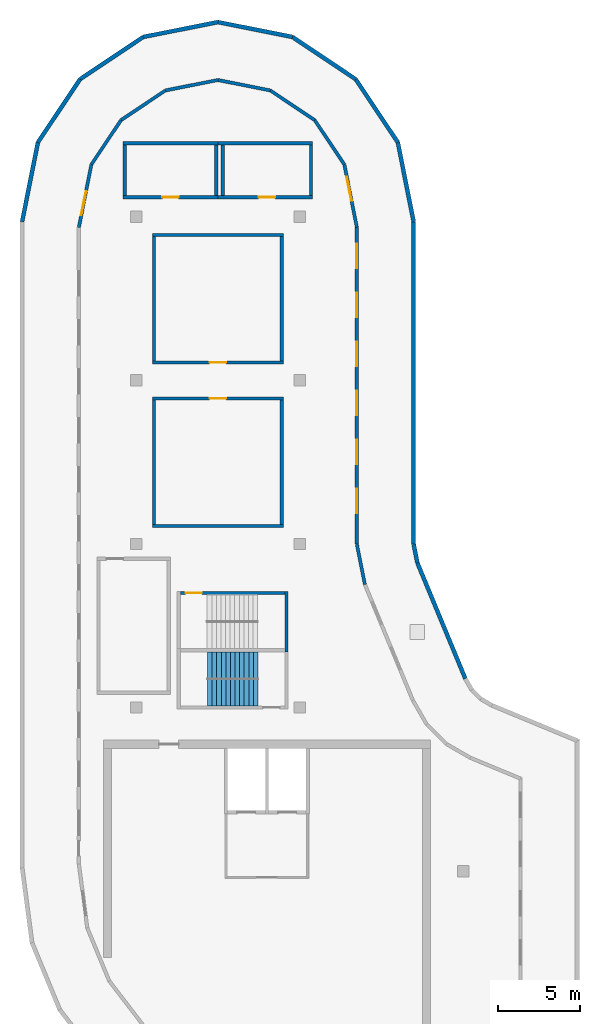
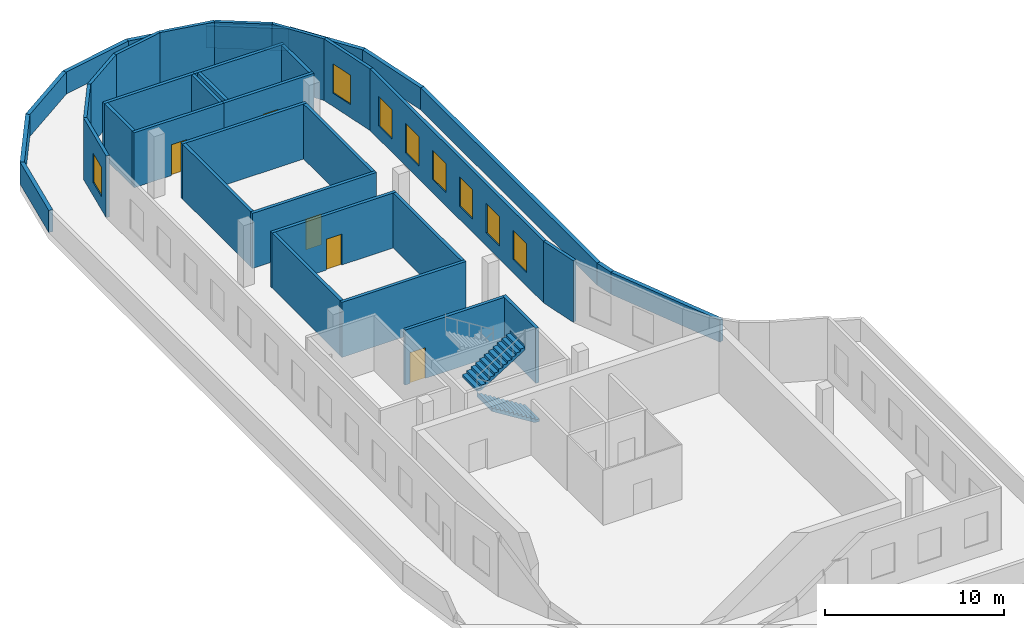
# One storey, part 3 of 5: 39 walls, 8 windows, 5 doors, 2 stair flights, 13 openings, 1 element without a shape of its own.
"""IFC4 building model written with IfcOpenShell, lengths in metres."""

from ifc_helpers import new_model, si_unit, direction, frame, frame_2d, origin, place, context, subcontext, project, spatial, polyline, rectangle, outline, extrude, material, layer, layer_set, type_object, element, fill, aggregate, save


model = new_model("IFC4")

# Units and contexts
model_context = context("Model", 3, precision=1e-05, world=origin(), true_north=direction((0.0, 1.0)))
body_context = subcontext(model_context, "Body", "Model", "MODEL_VIEW")
ifc_project = project(units=[si_unit("LENGTHUNIT", "METRE"), si_unit("AREAUNIT", "SQUARE_METRE"), si_unit("VOLUMEUNIT", "CUBIC_METRE"), si_unit("PLANEANGLEUNIT", "RADIAN"), si_unit("MASSUNIT", "GRAM", prefix="KILO")], contexts=[model_context])

# Site, building, storey
site_placement = place(None, origin())
site = spatial("IfcSite", under=ifc_project, at=site_placement, CompositionType="ELEMENT")
building_placement = place(site_placement, origin())
building = spatial("IfcBuilding", under=site, at=building_placement, Name="Qaws Garden Tower", CompositionType="ELEMENT")
storey_placement = place(building_placement, frame((0.0, 0.0, 369.60009765625)))
storey = spatial("IfcBuildingStorey", under=building, at=storey_placement, Name="C2", CompositionType="ELEMENT", Elevation=369.60009765625)

# Wall, opening, door
ifc_material_1 = material(Name="Concrete C60", Category="concrete")
ifc_layer_1 = layer(ifc_material_1, 0.199951171875)
ifc_layer_set_1 = layer_set([ifc_layer_1], Name="Concrete C60")
wall_type_1 = type_object("IfcWallType", Name="Core shaft wall 200 C60", PredefinedType="SHEAR", material=ifc_layer_set_1)
wall_1_placement = place(storey_placement, frame((12.699951171875, 37.0, 0.0), z_axis=(0.0, 0.0, 1.0), x_axis=(1.0, 0.0, 0.0)))
wall_1 = element("IfcWall", 1, at=wall_1_placement, inside=storey, type_object=wall_type_1, Name="Crown stair 2 wall", PredefinedType="SHEAR", context=body_context, shape_type="SweptSolid", body=[
    extrude(rectangle(XDim=6.400146484375, YDim=0.199951171875, at=frame_2d((3.2001953125, 0.0))), origin(), (0.0, 0.0, 1.0), 3.75),
])
opening_1_placement = place(wall_1_placement, frame((0.324951171875, 0.0, 0.0)))
opening_1 = element("IfcOpeningElement", 2, at=opening_1_placement, cuts=wall_1, Name="Opening C1019", PredefinedType="OPENING", context=body_context, shape_type="SweptSolid", body=[
    extrude(rectangle(XDim=1.0, YDim=2.10009765625, at=frame_2d((0.5, 1.050048828125))), frame((0.0, 0.10986328125, 0.0), z_axis=(0.0, -1.0, 0.0), x_axis=(1.0, 0.0, 0.0)), (0.0, 0.0, 1.0), 0.219970703125),
])
ifc_material_2 = material(Name="Steel S235", Category="steel")
door_type_1 = type_object("IfcDoorType", Name="Stair door 1000x2100", OperationType="SINGLE_SWING_RIGHT", PredefinedType="DOOR", material=ifc_material_2)
door_1_placement = place(opening_1_placement, frame((1.0, 0.0, 0.0), z_axis=(0.0, 0.0, 1.0), x_axis=(-1.0, 0.0, 0.0)))
door_1 = element("IfcDoor", 3, at=door_1_placement, inside=storey, type_object=door_type_1, Name="Crown stair 2 door", OperationType="SINGLE_SWING_RIGHT", OverallHeight=2.10009765625, OverallWidth=1.0, PredefinedType="DOOR", context=body_context, shape_type="SweptSolid", body=[
    extrude(rectangle(XDim=1.0, YDim=2.10009765625, at=frame_2d((0.5, 1.050048828125))), frame((0.0, 0.02490234375, 0.0), z_axis=(0.0, -1.0, 0.0), x_axis=(1.0, 0.0, 0.0)), (0.0, 0.0, 1.0), 0.050048828125),
])
fill(opening_1, door_1)

# Walls
wall_2_placement = place(storey_placement, frame((19.199951171875, 33.39990234375, 0.0), z_axis=(0.0, 0.0, 1.0), x_axis=(0.0, 1.0, 0.0)))
element("IfcWall", 4, at=wall_2_placement, inside=storey, type_object=wall_type_1, Name="Crown stair 2 wall", PredefinedType="SHEAR", context=body_context, shape_type="SweptSolid", body=[
    extrude(rectangle(XDim=3.7001953125, YDim=0.199951171875, at=frame_2d((1.85009765625, 0.0))), origin(), (0.0, 0.0, 1.0), 3.75),
])
ifc_material_3 = material(Name="Brick masonry", Category="masonry")
ifc_layer_2 = layer(ifc_material_3, 0.25)
ifc_layer_set_2 = layer_set([ifc_layer_2], Name="Brick masonry")
wall_type_2 = type_object("IfcWallType", Name="Parapet 250", PredefinedType="PARAPET", material=ifc_layer_set_2)
wall_3_placement = place(storey_placement, frame((3.02490234375, 59.7021484375, 0.0), z_axis=(0.0, 0.0, 1.0), x_axis=(0.195092299863, 0.980784886983, 0.0)))
element("IfcWall", 5, at=wall_3_placement, inside=storey, type_object=wall_type_2, Name="Maintenance terrace parapet C2", PredefinedType="PARAPET", context=body_context, shape_type="SweptSolid", body=[
    extrude(rectangle(XDim=4.953125, YDim=0.25, at=frame_2d((2.4765625, 0.0))), origin(), (0.0, 0.0, 1.0), 1.5),
])
for number, where, z_axis, x_axis, name in (
    (6, (3.9912109375, 64.56005859375, 0.0), (0.0, 0.0, 1.0), (0.555572391155, 0.831468170279, 0.0), "Maintenance terrace parapet C2"),
    (7, (6.57421875, 68.42578125, 0.0), (0.0, 0.0, 1.0), (0.831468170279, 0.555572391155, 0.0), "Maintenance terrace parapet C2"),
):
    element("IfcWall", number, at=place(storey_placement, frame(where, z_axis=z_axis, x_axis=x_axis)), inside=storey, type_object=wall_type_2, Name=name, PredefinedType="PARAPET", context=body_context, shape_type="SweptSolid", body=[
        extrude(rectangle(XDim=4.649169921875, YDim=0.25, at=frame_2d((2.32470703125, 0.0))), origin(), (0.0, 0.0, 1.0), 1.5),
    ])
for number, where, z_axis, x_axis, name in (
    (8, (10.43994140625, 71.0087890625, 0.0), (0.0, 0.0, 1.0), (0.9807881458, 0.195075916139, 0.0), "Maintenance terrace parapet C2"),
    (9, (15.0, 71.915771484375, 0.0), (0.0, 0.0, 1.0), (0.9807881458, -0.195075916139, 0.0), "Maintenance terrace parapet C2"),
):
    element("IfcWall", number, at=place(storey_placement, frame(where, z_axis=z_axis, x_axis=x_axis)), inside=storey, type_object=wall_type_2, Name=name, PredefinedType="PARAPET", context=body_context, shape_type="SweptSolid", body=[
        extrude(rectangle(XDim=4.6494140625, YDim=0.25, at=frame_2d((2.32470703125, 0.0))), origin(), (0.0, 0.0, 1.0), 1.5),
    ])
for number, where, z_axis, x_axis, name in (
    (10, (19.56005859375, 71.0087890625, 0.0), (0.0, 0.0, 1.0), (0.831468170279, -0.555572391155, 0.0), "Maintenance terrace parapet C2"),
    (11, (23.42578125, 68.42578125, 0.0), (0.0, 0.0, 1.0), (0.555572391155, -0.831468170279, 0.0), "Maintenance terrace parapet C2"),
):
    element("IfcWall", number, at=place(storey_placement, frame(where, z_axis=z_axis, x_axis=x_axis)), inside=storey, type_object=wall_type_2, Name=name, PredefinedType="PARAPET", context=body_context, shape_type="SweptSolid", body=[
        extrude(rectangle(XDim=4.649169921875, YDim=0.25, at=frame_2d((2.32470703125, 0.0))), origin(), (0.0, 0.0, 1.0), 1.5),
    ])
wall_4_placement = place(storey_placement, frame((26.0087890625, 64.56005859375, 0.0), z_axis=(0.0, 0.0, 1.0), x_axis=(0.195092299863, -0.980784886983, 0.0)))
element("IfcWall", 12, at=wall_4_placement, inside=storey, type_object=wall_type_2, Name="Maintenance terrace parapet C2", PredefinedType="PARAPET", context=body_context, shape_type="SweptSolid", body=[
    extrude(rectangle(XDim=4.953125, YDim=0.25, at=frame_2d((2.4765625, 0.0))), origin(), (0.0, 0.0, 1.0), 1.5),
])
wall_5_placement = place(storey_placement, frame((26.97509765625, 59.7021484375, 0.0), z_axis=(0.0, 0.0, 1.0), x_axis=(0.0, -1.0, 0.0)))
element("IfcWall", 13, at=wall_5_placement, inside=storey, type_object=wall_type_2, Name="Maintenance terrace parapet C2", PredefinedType="PARAPET", context=body_context, shape_type="SweptSolid", body=[
    extrude(rectangle(XDim=19.71435546875, YDim=0.25, at=frame_2d((9.857177734375, 0.0))), origin(), (0.0, 0.0, 1.0), 1.5),
])
wall_6_placement = place(storey_placement, frame((26.97509765625, 39.98779296875, 0.0), z_axis=(0.0, 0.0, 1.0), x_axis=(0.19510089469, -0.980783177308, 0.0)))
element("IfcWall", 14, at=wall_6_placement, inside=storey, type_object=wall_type_2, Name="Maintenance terrace parapet C2", PredefinedType="PARAPET", context=body_context, shape_type="SweptSolid", body=[
    extrude(rectangle(XDim=1.15625, YDim=0.25, at=frame_2d((0.578125, 0.0))), origin(), (0.0, 0.0, 1.0), 1.5),
])
wall_7_placement = place(storey_placement, frame((27.20068359375, 38.853759765625, 0.0), z_axis=(0.0, 0.0, 1.0), x_axis=(0.382651496765, -0.923892760023, 0.0)))
element("IfcWall", 15, at=wall_7_placement, inside=storey, type_object=wall_type_2, Name="Maintenance terrace parapet C2", PredefinedType="PARAPET", context=body_context, shape_type="SweptSolid", body=[
    extrude(rectangle(XDim=7.674072265625, YDim=0.25, at=frame_2d((3.8369140625, 0.0))), origin(), (0.0, 0.0, 1.0), 1.5),
])
ifc_material_4 = material(Name="Blockwork", Category="masonry")
ifc_layer_3 = layer(ifc_material_4, 0.199951171875)
ifc_layer_set_3 = layer_set([ifc_layer_3], Name="Blockwork")
wall_type_3 = type_object("IfcWallType", Name="Plant room wall 200", PredefinedType="PARTITIONING", material=ifc_layer_set_3)
wall_8_placement = place(storey_placement, frame((11.0, 41.10009765625, 0.0), z_axis=(0.0, 0.0, 1.0), x_axis=(1.0, 0.0, 0.0)))
element("IfcWall", 16, at=wall_8_placement, inside=storey, type_object=wall_type_3, Name="Water tank and pump room wall", PredefinedType="PARTITIONING", context=body_context, shape_type="SweptSolid", body=[
    extrude(rectangle(XDim=8.0, YDim=0.199951171875, at=frame_2d((4.0, 0.0))), origin(), (0.0, 0.0, 1.0), 3.75),
])

# Wall, opening, door
wall_9_placement = place(storey_placement, frame((11.0, 48.89990234375, 0.0), z_axis=(0.0, 0.0, 1.0), x_axis=(1.0, 0.0, 0.0)))
wall_9 = element("IfcWall", 17, at=wall_9_placement, inside=storey, type_object=wall_type_3, Name="Water tank and pump room wall", PredefinedType="PARTITIONING", context=body_context, shape_type="SweptSolid", body=[
    extrude(rectangle(XDim=8.0, YDim=0.199951171875, at=frame_2d((4.0, 0.0))), origin(), (0.0, 0.0, 1.0), 3.75),
])
opening_2_placement = place(wall_9_placement, frame((3.5, 0.0, 0.0)))
opening_2 = element("IfcOpeningElement", 18, at=opening_2_placement, cuts=wall_9, Name="Opening PD12-01", PredefinedType="OPENING", context=body_context, shape_type="SweptSolid", body=[
    extrude(rectangle(XDim=1.0, YDim=2.10009765625, at=frame_2d((0.5, 1.050048828125))), frame((0.0, 0.10986328125, 0.0), z_axis=(0.0, -1.0, 0.0), x_axis=(1.0, 0.0, 0.0)), (0.0, 0.0, 1.0), 0.219970703125),
])
ifc_material_5 = material(Name="Steel S235 framed door leaf", Category="steel")
door_type_2 = type_object("IfcDoorType", Name="Door D12 fire single 1000", OperationType="SINGLE_SWING_LEFT", PredefinedType="DOOR", material=ifc_material_5)
door_2_placement = place(opening_2_placement, origin())
door_2 = element("IfcDoor", 19, at=door_2_placement, inside=storey, type_object=door_type_2, Name="Water tank and pump room door", OperationType="SINGLE_SWING_RIGHT", OverallHeight=2.10009765625, OverallWidth=1.0, PredefinedType="DOOR", context=body_context, shape_type="SweptSolid", body=[
    extrude(rectangle(XDim=1.0, YDim=2.10009765625, at=frame_2d((0.5, 1.050048828125))), frame((0.0, 0.02490234375, 0.0), z_axis=(0.0, -1.0, 0.0), x_axis=(1.0, 0.0, 0.0)), (0.0, 0.0, 1.0), 0.050048828125),
])
fill(opening_2, door_2)

# Walls
for number, where, z_axis, x_axis, name in (
    (20, (11.10009765625, 41.199951171875, 0.0), (0.0, 0.0, 1.0), (0.0, 1.0, 0.0), "Water tank and pump room wall"),
    (21, (18.89990234375, 41.199951171875, 0.0), (0.0, 0.0, 1.0), (0.0, 1.0, 0.0), "Water tank and pump room wall"),
):
    element("IfcWall", number, at=place(storey_placement, frame(where, z_axis=z_axis, x_axis=x_axis)), inside=storey, type_object=wall_type_3, Name=name, PredefinedType="PARTITIONING", context=body_context, shape_type="SweptSolid", body=[
        extrude(rectangle(XDim=7.60009765625, YDim=0.199951171875, at=frame_2d((3.800048828125, 0.0))), origin(), (0.0, 0.0, 1.0), 3.75),
    ])

# Wall, opening, door
wall_10_placement = place(storey_placement, frame((11.0, 51.10009765625, 0.0), z_axis=(0.0, 0.0, 1.0), x_axis=(1.0, 0.0, 0.0)))
wall_10 = element("IfcWall", 22, at=wall_10_placement, inside=storey, type_object=wall_type_3, Name="Roof plant room wall", PredefinedType="PARTITIONING", context=body_context, shape_type="SweptSolid", body=[
    extrude(rectangle(XDim=8.0, YDim=0.199951171875, at=frame_2d((4.0, 0.0))), origin(), (0.0, 0.0, 1.0), 3.75),
])
opening_3_placement = place(wall_10_placement, frame((3.5, 0.0, 0.0)))
opening_3 = element("IfcOpeningElement", 23, at=opening_3_placement, cuts=wall_10, Name="Opening PD12-02", PredefinedType="OPENING", context=body_context, shape_type="SweptSolid", body=[
    extrude(rectangle(XDim=1.0, YDim=2.10009765625, at=frame_2d((0.5, 1.050048828125))), frame((0.0, 0.10986328125, 0.0), z_axis=(0.0, -1.0, 0.0), x_axis=(1.0, 0.0, 0.0)), (0.0, 0.0, 1.0), 0.219970703125),
])
door_3_placement = place(opening_3_placement, origin())
door_3 = element("IfcDoor", 24, at=door_3_placement, inside=storey, type_object=door_type_2, Name="Roof plant room door", OperationType="SINGLE_SWING_RIGHT", OverallHeight=2.10009765625, OverallWidth=1.0, PredefinedType="DOOR", context=body_context, shape_type="SweptSolid", body=[
    extrude(rectangle(XDim=1.0, YDim=2.10009765625, at=frame_2d((0.5, 1.050048828125))), frame((0.0, 0.02490234375, 0.0), z_axis=(0.0, -1.0, 0.0), x_axis=(1.0, 0.0, 0.0)), (0.0, 0.0, 1.0), 0.050048828125),
])
fill(opening_3, door_3)

# Walls
wall_11_placement = place(storey_placement, frame((11.0, 58.89990234375, 0.0), z_axis=(0.0, 0.0, 1.0), x_axis=(1.0, 0.0, 0.0)))
element("IfcWall", 25, at=wall_11_placement, inside=storey, type_object=wall_type_3, Name="Roof plant room wall", PredefinedType="PARTITIONING", context=body_context, shape_type="SweptSolid", body=[
    extrude(rectangle(XDim=8.0, YDim=0.199951171875, at=frame_2d((4.0, 0.0))), origin(), (0.0, 0.0, 1.0), 3.75),
])
for number, where, z_axis, x_axis, name in (
    (26, (11.10009765625, 51.199951171875, 0.0), (0.0, 0.0, 1.0), (0.0, 1.0, 0.0), "Roof plant room wall"),
    (27, (18.89990234375, 51.199951171875, 0.0), (0.0, 0.0, 1.0), (0.0, 1.0, 0.0), "Roof plant room wall"),
):
    element("IfcWall", number, at=place(storey_placement, frame(where, z_axis=z_axis, x_axis=x_axis)), inside=storey, type_object=wall_type_3, Name=name, PredefinedType="PARTITIONING", context=body_context, shape_type="SweptSolid", body=[
        extrude(rectangle(XDim=7.60009765625, YDim=0.199951171875, at=frame_2d((3.800048828125, 0.0))), origin(), (0.0, 0.0, 1.0), 3.75),
    ])

# Wall, opening, door
wall_12_placement = place(storey_placement, frame((9.199951171875, 61.199951171875, 0.0), z_axis=(0.0, 0.0, 1.0), x_axis=(1.0, 0.0, 0.0)))
wall_12 = element("IfcWall", 28, at=wall_12_placement, inside=storey, type_object=wall_type_3, Name="Chiller plant room wall", PredefinedType="PARTITIONING", context=body_context, shape_type="SweptSolid", body=[
    extrude(rectangle(XDim=5.800048828125, YDim=0.199951171875, at=frame_2d((2.89990234375, 0.0))), origin(), (0.0, 0.0, 1.0), 3.75),
])
opening_4_placement = place(wall_12_placement, frame((2.39990234375, 0.0, 0.0)))
opening_4 = element("IfcOpeningElement", 29, at=opening_4_placement, cuts=wall_12, Name="Opening PD12-03", PredefinedType="OPENING", context=body_context, shape_type="SweptSolid", body=[
    extrude(rectangle(XDim=1.0, YDim=2.10009765625, at=frame_2d((0.5, 1.050048828125))), frame((0.0, 0.10986328125, 0.0), z_axis=(0.0, -1.0, 0.0), x_axis=(1.0, 0.0, 0.0)), (0.0, 0.0, 1.0), 0.219970703125),
])
door_4_placement = place(opening_4_placement, origin())
door_4 = element("IfcDoor", 30, at=door_4_placement, inside=storey, type_object=door_type_2, Name="Chiller plant room door", OperationType="SINGLE_SWING_RIGHT", OverallHeight=2.10009765625, OverallWidth=1.0, PredefinedType="DOOR", context=body_context, shape_type="SweptSolid", body=[
    extrude(rectangle(XDim=1.0, YDim=2.10009765625, at=frame_2d((0.5, 1.050048828125))), frame((0.0, 0.02490234375, 0.0), z_axis=(0.0, -1.0, 0.0), x_axis=(1.0, 0.0, 0.0)), (0.0, 0.0, 1.0), 0.050048828125),
])
fill(opening_4, door_4)

# Walls
wall_13_placement = place(storey_placement, frame((9.199951171875, 64.5, 0.0), z_axis=(0.0, 0.0, 1.0), x_axis=(1.0, 0.0, 0.0)))
element("IfcWall", 31, at=wall_13_placement, inside=storey, type_object=wall_type_3, Name="Chiller plant room wall", PredefinedType="PARTITIONING", context=body_context, shape_type="SweptSolid", body=[
    extrude(rectangle(XDim=5.800048828125, YDim=0.199951171875, at=frame_2d((2.89990234375, 0.0))), origin(), (0.0, 0.0, 1.0), 3.75),
])
for number, where, z_axis, x_axis, name in (
    (32, (9.300048828125, 61.300048828125, 0.0), (0.0, 0.0, 1.0), (0.0, 1.0, 0.0), "Chiller plant room wall"),
    (33, (14.89990234375, 61.300048828125, 0.0), (0.0, 0.0, 1.0), (0.0, 1.0, 0.0), "Chiller plant room wall"),
):
    element("IfcWall", number, at=place(storey_placement, frame(where, z_axis=z_axis, x_axis=x_axis)), inside=storey, type_object=wall_type_3, Name=name, PredefinedType="PARTITIONING", context=body_context, shape_type="SweptSolid", body=[
        extrude(rectangle(XDim=3.099853515625, YDim=0.199951171875, at=frame_2d((1.5498046875, 0.0))), origin(), (0.0, 0.0, 1.0), 3.75),
    ])

# Wall, opening, door
wall_14_placement = place(storey_placement, frame((15.0, 61.199951171875, 0.0), z_axis=(0.0, 0.0, 1.0), x_axis=(1.0, 0.0, 0.0)))
wall_14 = element("IfcWall", 34, at=wall_14_placement, inside=storey, type_object=wall_type_3, Name="Air handling plant room wall", PredefinedType="PARTITIONING", context=body_context, shape_type="SweptSolid", body=[
    extrude(rectangle(XDim=5.800048828125, YDim=0.199951171875, at=frame_2d((2.89990234375, 0.0))), origin(), (0.0, 0.0, 1.0), 3.75),
])
opening_5_placement = place(wall_14_placement, frame((2.5, 0.0, 0.0)))
opening_5 = element("IfcOpeningElement", 35, at=opening_5_placement, cuts=wall_14, Name="Opening PD12-04", PredefinedType="OPENING", context=body_context, shape_type="SweptSolid", body=[
    extrude(rectangle(XDim=1.0, YDim=2.10009765625, at=frame_2d((0.5, 1.050048828125))), frame((0.0, 0.10986328125, 0.0), z_axis=(0.0, -1.0, 0.0), x_axis=(1.0, 0.0, 0.0)), (0.0, 0.0, 1.0), 0.219970703125),
])
door_5_placement = place(opening_5_placement, origin())
door_5 = element("IfcDoor", 36, at=door_5_placement, inside=storey, type_object=door_type_2, Name="Air handling plant room door", OperationType="SINGLE_SWING_RIGHT", OverallHeight=2.10009765625, OverallWidth=1.0, PredefinedType="DOOR", context=body_context, shape_type="SweptSolid", body=[
    extrude(rectangle(XDim=1.0, YDim=2.10009765625, at=frame_2d((0.5, 1.050048828125))), frame((0.0, 0.02490234375, 0.0), z_axis=(0.0, -1.0, 0.0), x_axis=(1.0, 0.0, 0.0)), (0.0, 0.0, 1.0), 0.050048828125),
])
fill(opening_5, door_5)

# Walls
wall_15_placement = place(storey_placement, frame((15.0, 64.5, 0.0), z_axis=(0.0, 0.0, 1.0), x_axis=(1.0, 0.0, 0.0)))
element("IfcWall", 37, at=wall_15_placement, inside=storey, type_object=wall_type_3, Name="Air handling plant room wall", PredefinedType="PARTITIONING", context=body_context, shape_type="SweptSolid", body=[
    extrude(rectangle(XDim=5.800048828125, YDim=0.199951171875, at=frame_2d((2.89990234375, 0.0))), origin(), (0.0, 0.0, 1.0), 3.75),
])
for number, where, z_axis, x_axis, name in (
    (38, (15.300048828125, 61.300048828125, 0.0), (0.0, 0.0, 1.0), (0.0, 1.0, 0.0), "Air handling plant room wall"),
    (39, (20.699951171875, 61.300048828125, 0.0), (0.0, 0.0, 1.0), (0.0, 1.0, 0.0), "Air handling plant room wall"),
):
    element("IfcWall", number, at=place(storey_placement, frame(where, z_axis=z_axis, x_axis=x_axis)), inside=storey, type_object=wall_type_3, Name=name, PredefinedType="PARTITIONING", context=body_context, shape_type="SweptSolid", body=[
        extrude(rectangle(XDim=3.099853515625, YDim=0.199951171875, at=frame_2d((1.5498046875, 0.0))), origin(), (0.0, 0.0, 1.0), 3.75),
    ])

# Wall, opening, window
ifc_material_6 = material(Name="Brick masonry", Category="masonry")
ifc_layer_4 = layer(ifc_material_6, 0.199951171875)
ifc_layer_set_4 = layer_set([ifc_layer_4], Name="Brick masonry")
wall_type_4 = type_object("IfcWallType", Name="Plant screen louvre 200", PredefinedType="STANDARD", material=ifc_layer_set_4)
wall_16_placement = place(storey_placement, frame((6.5, 59.35986328125, 0.0), z_axis=(0.0, 0.0, 1.0), x_axis=(0.195085879942, 0.980786163976, 0.0)))
wall_16 = element("IfcWall", 40, at=wall_16_placement, inside=storey, type_object=wall_type_4, Name="Plant screen wall C2 8", PredefinedType="STANDARD", context=body_context, shape_type="SweptSolid", body=[
    extrude(rectangle(XDim=3.91943359375, YDim=0.199951171875, at=frame_2d((1.959716796875, 0.0))), origin(), (0.0, 0.0, 1.0), 4.199951171875),
])
opening_6_placement = place(wall_16_placement, frame((0.759765625, 0.0, 0.89990234375)))
opening_6 = element("IfcOpeningElement", 41, at=opening_6_placement, cuts=wall_16, Name="Opening PW-S4", PredefinedType="OPENING", context=body_context, shape_type="SweptSolid", body=[
    extrude(rectangle(XDim=1.5, YDim=2.0, at=frame_2d((0.75, 1.0))), frame((0.0, 0.10986328125, 0.0), z_axis=(0.0, -1.0, 0.0), x_axis=(1.0, 0.0, 0.0)), (0.0, 0.0, 1.0), 0.219970703125),
])
ifc_material_7 = material(Name="Aluminium louvre", Category="aluminium")
window_type = type_object("IfcWindowType", Name="Plant louvre 1500", PartitioningType="SINGLE_PANEL", PredefinedType="WINDOW", material=ifc_material_7)
window_1_placement = place(opening_6_placement, origin())
window_1 = element("IfcWindow", 42, at=window_1_placement, inside=storey, type_object=window_type, Name="Plant louvre", OverallHeight=2.0, OverallWidth=1.5, PartitioningType="SINGLE_PANEL", PredefinedType="WINDOW", context=body_context, shape_type="SweptSolid", body=[
    extrude(rectangle(XDim=1.5, YDim=2.0, at=frame_2d((0.75, 1.0))), frame((0.0, 0.030029296875, 0.0), z_axis=(0.0, -1.0, 0.0), x_axis=(1.0, 0.0, 0.0)), (0.0, 0.0, 1.0), 0.06005859375),
])
fill(opening_6, window_1)

# Walls
for number, where, z_axis, x_axis, name in (
    (43, (7.2646484375, 63.2041015625, 0.0), (0.0, 0.0, 1.0), (0.55556219765, 0.831474981309, 0.0), "Plant screen wall C2 9"),
    (44, (9.07958984375, 65.92041015625, 0.0), (0.0, 0.0, 1.0), (0.831474981309, 0.55556219765, 0.0), "Plant screen wall C2 10"),
    (45, (11.7958984375, 67.7353515625, 0.0), (0.0, 0.0, 1.0), (0.980778500655, 0.195124403018, 0.0), "Plant screen wall C2 11"),
    (46, (15.0, 68.372802734375, 0.0), (0.0, 0.0, 1.0), (0.980778500655, -0.195124403018, 0.0), "Plant screen wall C2 12"),
    (47, (18.2041015625, 67.7353515625, 0.0), (0.0, 0.0, 1.0), (0.831474981309, -0.55556219765, 0.0), "Plant screen wall C2 13"),
    (48, (20.92041015625, 65.92041015625, 0.0), (0.0, 0.0, 1.0), (0.55556219765, -0.831474981309, 0.0), "Plant screen wall C2 14"),
):
    element("IfcWall", number, at=place(storey_placement, frame(where, z_axis=z_axis, x_axis=x_axis)), inside=storey, type_object=wall_type_4, Name=name, PredefinedType="STANDARD", context=body_context, shape_type="SweptSolid", body=[
        extrude(rectangle(XDim=3.266845703125, YDim=0.199951171875, at=frame_2d((1.63330078125, 0.0))), origin(), (0.0, 0.0, 1.0), 4.199951171875),
    ])

# Wall, opening, window
wall_17_placement = place(storey_placement, frame((22.7353515625, 63.2041015625, 0.0), z_axis=(0.0, 0.0, 1.0), x_axis=(0.195085879942, -0.980786163976, 0.0)))
wall_17 = element("IfcWall", 49, at=wall_17_placement, inside=storey, type_object=wall_type_4, Name="Plant screen wall C2 15", PredefinedType="STANDARD", context=body_context, shape_type="SweptSolid", body=[
    extrude(rectangle(XDim=3.91943359375, YDim=0.199951171875, at=frame_2d((1.959716796875, 0.0))), origin(), (0.0, 0.0, 1.0), 4.199951171875),
])
opening_7_placement = place(wall_17_placement, frame((0.759765625, 0.0, 0.89990234375)))
opening_7 = element("IfcOpeningElement", 50, at=opening_7_placement, cuts=wall_17, Name="Opening PW-S4", PredefinedType="OPENING", context=body_context, shape_type="SweptSolid", body=[
    extrude(rectangle(XDim=1.5, YDim=2.0, at=frame_2d((0.75, 1.0))), frame((0.0, 0.10986328125, 0.0), z_axis=(0.0, -1.0, 0.0), x_axis=(1.0, 0.0, 0.0)), (0.0, 0.0, 1.0), 0.219970703125),
])
window_2_placement = place(opening_7_placement, origin())
window_2 = element("IfcWindow", 51, at=window_2_placement, inside=storey, type_object=window_type, Name="Plant louvre", OverallHeight=2.0, OverallWidth=1.5, PartitioningType="SINGLE_PANEL", PredefinedType="WINDOW", context=body_context, shape_type="SweptSolid", body=[
    extrude(rectangle(XDim=1.5, YDim=2.0, at=frame_2d((0.75, 1.0))), frame((0.0, 0.030029296875, 0.0), z_axis=(0.0, -1.0, 0.0), x_axis=(1.0, 0.0, 0.0)), (0.0, 0.0, 1.0), 0.06005859375),
])
fill(opening_7, window_2)

# Wall, openings, windows
wall_18_placement = place(storey_placement, frame((23.5, 59.35986328125, 0.0), z_axis=(0.0, 0.0, 1.0), x_axis=(0.0, -1.0, 0.0)))
wall_18 = element("IfcWall", 52, at=wall_18_placement, inside=storey, type_object=wall_type_4, Name="Plant screen wall C2 16", PredefinedType="STANDARD", context=body_context, shape_type="SweptSolid", body=[
    extrude(rectangle(XDim=19.36962890625, YDim=0.199951171875, at=frame_2d((9.684814453125, 0.0))), origin(), (0.0, 0.0, 1.0), 4.199951171875),
])
opening_8_placement = place(wall_18_placement, frame((0.98486328125, 0.0, 0.89990234375)))
opening_8 = element("IfcOpeningElement", 53, at=opening_8_placement, cuts=wall_18, Name="Opening PW-S4", PredefinedType="OPENING", context=body_context, shape_type="SweptSolid", body=[
    extrude(rectangle(XDim=1.5, YDim=2.0, at=frame_2d((0.75, 1.0))), frame((0.0, 0.10986328125, 0.0), z_axis=(0.0, -1.0, 0.0), x_axis=(1.0, 0.0, 0.0)), (0.0, 0.0, 1.0), 0.219970703125),
])
opening_9_placement = place(wall_18_placement, frame((3.98486328125, 0.0, 0.89990234375)))
opening_9 = element("IfcOpeningElement", 54, at=opening_9_placement, cuts=wall_18, Name="Opening PW-S4", PredefinedType="OPENING", context=body_context, shape_type="SweptSolid", body=[
    extrude(rectangle(XDim=1.5, YDim=2.0, at=frame_2d((0.75, 1.0))), frame((0.0, 0.10986328125, 0.0), z_axis=(0.0, -1.0, 0.0), x_axis=(1.0, 0.0, 0.0)), (0.0, 0.0, 1.0), 0.219970703125),
])
opening_10_placement = place(wall_18_placement, frame((6.98486328125, 0.0, 0.89990234375)))
opening_10 = element("IfcOpeningElement", 55, at=opening_10_placement, cuts=wall_18, Name="Opening PW-S4", PredefinedType="OPENING", context=body_context, shape_type="SweptSolid", body=[
    extrude(rectangle(XDim=1.5, YDim=2.0, at=frame_2d((0.75, 1.0))), frame((0.0, 0.10986328125, 0.0), z_axis=(0.0, -1.0, 0.0), x_axis=(1.0, 0.0, 0.0)), (0.0, 0.0, 1.0), 0.219970703125),
])
opening_11_placement = place(wall_18_placement, frame((9.98486328125, 0.0, 0.89990234375)))
opening_11 = element("IfcOpeningElement", 56, at=opening_11_placement, cuts=wall_18, Name="Opening PW-S4", PredefinedType="OPENING", context=body_context, shape_type="SweptSolid", body=[
    extrude(rectangle(XDim=1.5, YDim=2.0, at=frame_2d((0.75, 1.0))), frame((0.0, 0.10986328125, 0.0), z_axis=(0.0, -1.0, 0.0), x_axis=(1.0, 0.0, 0.0)), (0.0, 0.0, 1.0), 0.219970703125),
])
opening_12_placement = place(wall_18_placement, frame((12.98486328125, 0.0, 0.89990234375)))
opening_12 = element("IfcOpeningElement", 57, at=opening_12_placement, cuts=wall_18, Name="Opening PW-S4", PredefinedType="OPENING", context=body_context, shape_type="SweptSolid", body=[
    extrude(rectangle(XDim=1.5, YDim=2.0, at=frame_2d((0.75, 1.0))), frame((0.0, 0.10986328125, 0.0), z_axis=(0.0, -1.0, 0.0), x_axis=(1.0, 0.0, 0.0)), (0.0, 0.0, 1.0), 0.219970703125),
])
opening_13_placement = place(wall_18_placement, frame((15.98486328125, 0.0, 0.89990234375)))
opening_13 = element("IfcOpeningElement", 58, at=opening_13_placement, cuts=wall_18, Name="Opening PW-S4", PredefinedType="OPENING", context=body_context, shape_type="SweptSolid", body=[
    extrude(rectangle(XDim=1.5, YDim=2.0, at=frame_2d((0.75, 1.0))), frame((0.0, 0.10986328125, 0.0), z_axis=(0.0, -1.0, 0.0), x_axis=(1.0, 0.0, 0.0)), (0.0, 0.0, 1.0), 0.219970703125),
])
window_3_placement = place(opening_8_placement, origin())
window_3 = element("IfcWindow", 59, at=window_3_placement, inside=storey, type_object=window_type, Name="Plant louvre", OverallHeight=2.0, OverallWidth=1.5, PartitioningType="SINGLE_PANEL", PredefinedType="WINDOW", context=body_context, shape_type="SweptSolid", body=[
    extrude(rectangle(XDim=1.5, YDim=2.0, at=frame_2d((0.75, 1.0))), frame((0.0, 0.030029296875, 0.0), z_axis=(0.0, -1.0, 0.0), x_axis=(1.0, 0.0, 0.0)), (0.0, 0.0, 1.0), 0.06005859375),
])
fill(opening_8, window_3)
window_4_placement = place(opening_9_placement, origin())
window_4 = element("IfcWindow", 60, at=window_4_placement, inside=storey, type_object=window_type, Name="Plant louvre", OverallHeight=2.0, OverallWidth=1.5, PartitioningType="SINGLE_PANEL", PredefinedType="WINDOW", context=body_context, shape_type="SweptSolid", body=[
    extrude(rectangle(XDim=1.5, YDim=2.0, at=frame_2d((0.75, 1.0))), frame((0.0, 0.030029296875, 0.0), z_axis=(0.0, -1.0, 0.0), x_axis=(1.0, 0.0, 0.0)), (0.0, 0.0, 1.0), 0.06005859375),
])
fill(opening_9, window_4)
window_5_placement = place(opening_10_placement, origin())
window_5 = element("IfcWindow", 61, at=window_5_placement, inside=storey, type_object=window_type, Name="Plant louvre", OverallHeight=2.0, OverallWidth=1.5, PartitioningType="SINGLE_PANEL", PredefinedType="WINDOW", context=body_context, shape_type="SweptSolid", body=[
    extrude(rectangle(XDim=1.5, YDim=2.0, at=frame_2d((0.75, 1.0))), frame((0.0, 0.030029296875, 0.0), z_axis=(0.0, -1.0, 0.0), x_axis=(1.0, 0.0, 0.0)), (0.0, 0.0, 1.0), 0.06005859375),
])
fill(opening_10, window_5)
window_6_placement = place(opening_11_placement, origin())
window_6 = element("IfcWindow", 62, at=window_6_placement, inside=storey, type_object=window_type, Name="Plant louvre", OverallHeight=2.0, OverallWidth=1.5, PartitioningType="SINGLE_PANEL", PredefinedType="WINDOW", context=body_context, shape_type="SweptSolid", body=[
    extrude(rectangle(XDim=1.5, YDim=2.0, at=frame_2d((0.75, 1.0))), frame((0.0, 0.030029296875, 0.0), z_axis=(0.0, -1.0, 0.0), x_axis=(1.0, 0.0, 0.0)), (0.0, 0.0, 1.0), 0.06005859375),
])
fill(opening_11, window_6)
window_7_placement = place(opening_12_placement, origin())
window_7 = element("IfcWindow", 63, at=window_7_placement, inside=storey, type_object=window_type, Name="Plant louvre", OverallHeight=2.0, OverallWidth=1.5, PartitioningType="SINGLE_PANEL", PredefinedType="WINDOW", context=body_context, shape_type="SweptSolid", body=[
    extrude(rectangle(XDim=1.5, YDim=2.0, at=frame_2d((0.75, 1.0))), frame((0.0, 0.030029296875, 0.0), z_axis=(0.0, -1.0, 0.0), x_axis=(1.0, 0.0, 0.0)), (0.0, 0.0, 1.0), 0.06005859375),
])
fill(opening_12, window_7)
window_8_placement = place(opening_13_placement, origin())
window_8 = element("IfcWindow", 64, at=window_8_placement, inside=storey, type_object=window_type, Name="Plant louvre", OverallHeight=2.0, OverallWidth=1.5, PartitioningType="SINGLE_PANEL", PredefinedType="WINDOW", context=body_context, shape_type="SweptSolid", body=[
    extrude(rectangle(XDim=1.5, YDim=2.0, at=frame_2d((0.75, 1.0))), frame((0.0, 0.030029296875, 0.0), z_axis=(0.0, -1.0, 0.0), x_axis=(1.0, 0.0, 0.0)), (0.0, 0.0, 1.0), 0.06005859375),
])
fill(opening_13, window_8)

# Wall
wall_19_placement = place(storey_placement, frame((23.5, 39.990234375, 0.0), z_axis=(0.0, 0.0, 1.0), x_axis=(0.195071384983, -0.980789047023, 0.0)))
element("IfcWall", 65, at=wall_19_placement, inside=storey, type_object=wall_type_4, Name="Plant screen wall C2 17", PredefinedType="STANDARD", context=body_context, shape_type="SweptSolid", body=[
    extrude(rectangle(XDim=2.516845703125, YDim=0.199951171875, at=frame_2d((1.25830078125, 0.0))), origin(), (0.0, 0.0, 1.0), 4.199951171875),
])

# Stair, stair flights
ifc_material_8 = material(Name="Concrete C40", Category="concrete")
stair_type = type_object("IfcStairType", Name="Exit stair 1350", PredefinedType="HALF_TURN_STAIR", material=ifc_material_8)
stair_placement = place(storey_placement, origin())
stair = element("IfcStair", 66, at=stair_placement, inside=storey, type_object=stair_type, Name="Stair 1", PredefinedType="HALF_TURN_STAIR")
ifc_material_9 = material(Name="Concrete C40", Category="concrete")
stair_flight_type = type_object("IfcStairFlightType", Name="Stair flight 1350", PredefinedType="STRAIGHT", material=ifc_material_9)
stair_flight_1_placement = place(storey_placement, frame((17.449951171875, 30.925048828125, 0.0), z_axis=(0.0, 0.0, 1.0), x_axis=(-1.0, 0.0, 0.0)))
stair_flight_1 = element("IfcStairFlight", 67, at=stair_flight_1_placement, type_object=stair_flight_type, Name="CS1 flight 1", NumberOfRisers=12, NumberOfTreads=11, PredefinedType="STRAIGHT", RiserHeight=0.175, TreadLength=0.28, context=body_context, shape_type="SweptSolid", body=[
    extrude(outline(polyline([(-0.0029296875, 0.0), (-0.0029296875, 0.175048828125), (0.0, 0.175048828125), (0.280029296875, 0.175048828125), (0.280029296875, 0.35009765625), (0.56005859375, 0.35009765625), (0.56005859375, 0.52490234375), (0.840087890625, 0.52490234375), (0.840087890625, 0.699951171875), (1.1201171875, 0.699951171875), (1.1201171875, 0.875), (1.39990234375, 0.875), (1.39990234375, 1.050048828125), (1.679931640625, 1.050048828125), (1.679931640625, 1.22509765625), (1.9599609375, 1.22509765625), (1.9599609375, 1.39990234375), (2.239990234375, 1.39990234375), (2.239990234375, 1.574951171875), (2.52001953125, 1.574951171875), (2.52001953125, 1.75), (2.800048828125, 1.75), (2.800048828125, 1.925048828125), (3.080078125, 1.925048828125), (3.080078125, 2.10009765625), (3.0830078125, 2.10009765625), (3.0830078125, 1.748291015625), (3.080078125, 1.748291015625), (0.28271484375, 0.0), (-0.0029296875, 0.0)])), frame((0.0, 0.81982421875, 0.0), z_axis=(0.0, -1.0, 0.0), x_axis=(1.0, 0.0, 0.0)), (0.0, 0.0, 1.0), 1.639892578125),
])
stair_flight_2_placement = place(storey_placement, frame((14.3701171875, 32.574951171875, 2.099853515625), z_axis=(0.0, 0.0, 1.0), x_axis=(1.0, 0.0, 0.0)))
stair_flight_2 = element("IfcStairFlight", 68, at=stair_flight_2_placement, type_object=stair_flight_type, Name="CS1 flight 2", NumberOfRisers=12, NumberOfTreads=11, PredefinedType="STRAIGHT", RiserHeight=0.175, TreadLength=0.28, context=body_context, shape_type="SweptSolid", body=[
    extrude(outline(polyline([(-0.0029296875, 0.0), (-0.0029296875, 0.175048828125), (0.0, 0.175048828125), (0.280029296875, 0.175048828125), (0.280029296875, 0.35009765625), (0.56005859375, 0.35009765625), (0.56005859375, 0.52490234375), (0.840087890625, 0.52490234375), (0.840087890625, 0.699951171875), (1.1201171875, 0.699951171875), (1.1201171875, 0.875), (1.39990234375, 0.875), (1.39990234375, 1.050048828125), (1.679931640625, 1.050048828125), (1.679931640625, 1.22509765625), (1.9599609375, 1.22509765625), (1.9599609375, 1.39990234375), (2.239990234375, 1.39990234375), (2.239990234375, 1.574951171875), (2.52001953125, 1.574951171875), (2.52001953125, 1.75), (2.800048828125, 1.75), (2.800048828125, 1.925048828125), (3.080078125, 1.925048828125), (3.080078125, 2.10009765625), (3.0830078125, 2.10009765625), (3.0830078125, 1.748291015625), (3.080078125, 1.748291015625), (0.28271484375, 0.0), (-0.0029296875, 0.0)])), frame((0.0, 0.81982421875, 0.0), z_axis=(0.0, -1.0, 0.0), x_axis=(1.0, 0.0, 0.0)), (0.0, 0.0, 1.0), 1.639892578125),
])
aggregate(stair, [stair_flight_1, stair_flight_2])

save(model, "model.ifc")
